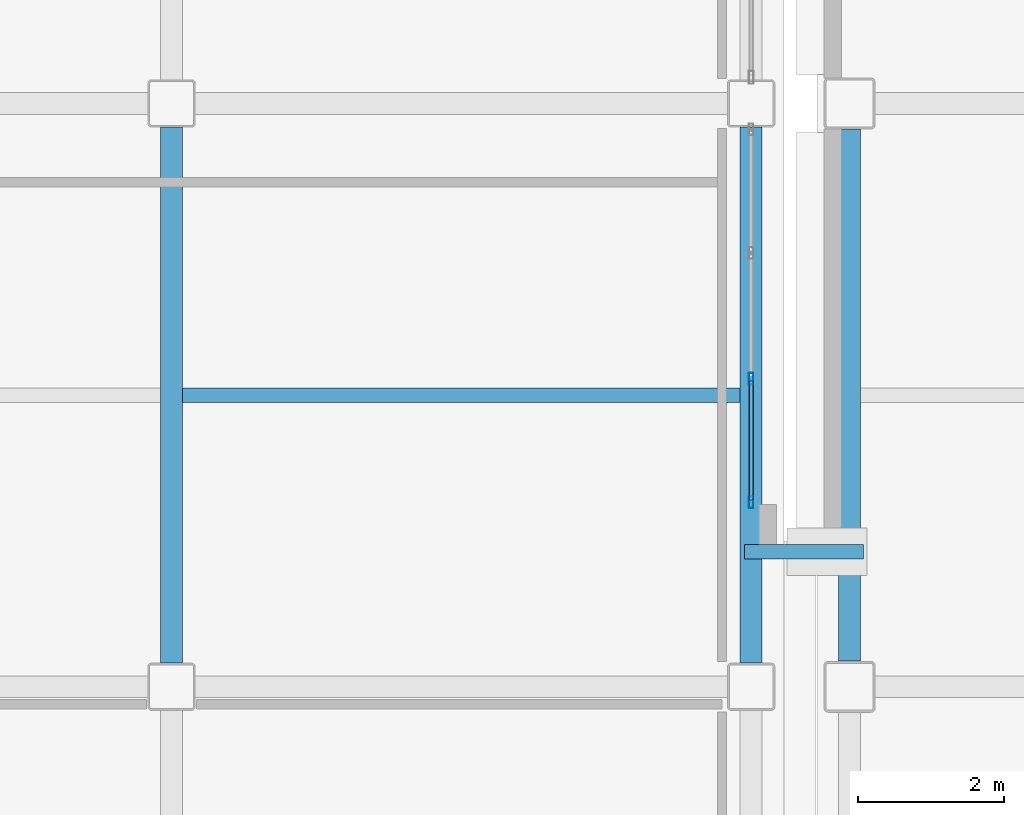
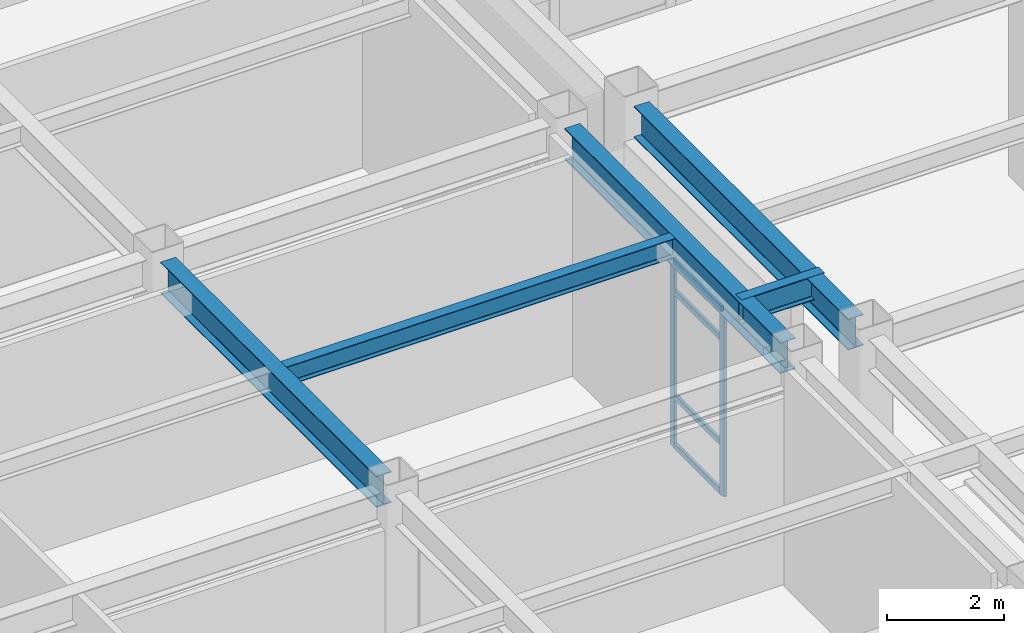
# One storey, part 47 of 172: 6 members, 5 beams, 1 element without a shape of its own.
"""IFC4 building model written with IfcOpenShell, lengths in metres."""

from ifc_helpers import new_model, si_unit, direction, frame, origin, origin_2d, place, context, subcontext, project, spatial, hollow_rectangle, i_section, extrude, material, layer, layer_set, material_profile, profile_set, type_object, element, aggregate, save


model = new_model("IFC4")

# Units and contexts
model_context = context("Model", 3, precision=1e-05, world=origin(), true_north=direction((0.0, 1.0)))
body_context = subcontext(model_context, "Body", "Model", "MODEL_VIEW")
ifc_project = project(units=[si_unit("LENGTHUNIT", "METRE"), si_unit("AREAUNIT", "SQUARE_METRE"), si_unit("VOLUMEUNIT", "CUBIC_METRE"), si_unit("PLANEANGLEUNIT", "RADIAN"), si_unit("MASSUNIT", "GRAM", prefix="KILO")], contexts=[model_context])

# Site, building, storey
site_placement = place(None, origin())
site = spatial("IfcSite", under=ifc_project, at=site_placement, CompositionType="ELEMENT")
building_placement = place(site_placement, origin())
building = spatial("IfcBuilding", under=site, at=building_placement, Name="Kazehara Bluff Congress Hotel", CompositionType="ELEMENT")
storey_placement = place(building_placement, frame((0.0, 0.0, 5.39990234375)))
storey = spatial("IfcBuildingStorey", under=building, at=storey_placement, Name="L01", CompositionType="ELEMENT", Elevation=5.39990234375)

# Curtain wall, members
ifc_material_1 = material(Name="Anodised aluminium", Category="aluminium")
ifc_layer = layer(ifc_material_1, 0.159912109375)
ifc_layer_set = layer_set([ifc_layer], Name="Anodised aluminium")
curtain_wall_type = type_object("IfcCurtainWallType", Name="TP-CW-53", PredefinedType="NOTDEFINED", material=ifc_layer_set)
curtain_wall_placement = place(storey_placement, origin())
curtain_wall = element("IfcCurtainWall", 1, at=curtain_wall_placement, inside=storey, type_object=curtain_wall_type, Name="L01 curtain wall CW-53 CW-V4-L01-X10920-2650", PredefinedType="NOTDEFINED")
ifc_material_2 = material(Name="Anodised aluminium", Category="aluminium")
ifc_material_profile_1 = material_profile(ifc_material_2, hollow_rectangle(XDim=0.06005859375, YDim=0.159912109375, WallThickness=0.00390625, InnerFilletRadius=0.00390625, OuterFilletRadius=0.008056640625, at=origin_2d()))
ifc_profile_set_1 = profile_set([ifc_material_profile_1], Name="Anodised aluminium")
member_type_1 = type_object("IfcMemberType", Name="TP-CWM-01", PredefinedType="MULLION", material=ifc_profile_set_1)
member_1_placement = place(storey_placement, frame((109.199951171875, 26.530029296875, 0.0), z_axis=(0.0, 0.0, 1.0), x_axis=(-1.0, 0.0, 0.0)))
member_1 = element("IfcMember", 2, at=member_1_placement, type_object=member_type_1, Name="CW-53 mullion 1", PredefinedType="MULLION", context=body_context, shape_type="SweptSolid", body=[
    extrude(hollow_rectangle(XDim=0.06005859375, YDim=0.159912109375, WallThickness=0.00390625, InnerFilletRadius=0.00390625, OuterFilletRadius=0.008056640625, at=origin_2d()), origin(), (0.0, 0.0, 1.0), 3.875),
])
member_2_placement = place(storey_placement, frame((109.199951171875, 28.22509765625, 0.0), z_axis=(0.0, 0.0, 1.0), x_axis=(-1.0, 0.0, 0.0)))
member_2 = element("IfcMember", 3, at=member_2_placement, type_object=member_type_1, Name="CW-53 mullion 2", PredefinedType="MULLION", context=body_context, shape_type="SweptSolid", body=[
    extrude(hollow_rectangle(XDim=0.06005859375, YDim=0.159912109375, WallThickness=0.00390625, InnerFilletRadius=0.00390625, OuterFilletRadius=0.008056640625, at=origin_2d()), origin(), (0.0, 0.0, 1.0), 3.875),
])
ifc_material_3 = material(Name="Anodised aluminium", Category="aluminium")
ifc_material_profile_2 = material_profile(ifc_material_3, hollow_rectangle(XDim=0.06005859375, YDim=0.1201171875, WallThickness=0.00390625, InnerFilletRadius=0.00390625, OuterFilletRadius=0.008056640625, at=origin_2d()))
ifc_profile_set_2 = profile_set([ifc_material_profile_2], Name="Anodised aluminium")
member_type_2 = type_object("IfcMemberType", Name="TP-CWT-01", PredefinedType="USERDEFINED", material=ifc_profile_set_2)
member_3_placement = place(storey_placement, frame((109.199951171875, 26.56005859375, 0.030029296875), z_axis=(0.0, 1.0, 0.0), x_axis=(-1.0, 0.0, 0.0)))
member_3 = element("IfcMember", 4, at=member_3_placement, type_object=member_type_2, Name="CW-53 transom 1.1", ObjectType="TRANSOM", PredefinedType="USERDEFINED", context=body_context, shape_type="SweptSolid", body=[
    extrude(hollow_rectangle(XDim=0.06005859375, YDim=0.1201171875, WallThickness=0.00390625, InnerFilletRadius=0.00390625, OuterFilletRadius=0.008056640625, at=origin_2d()), origin(), (0.0, 0.0, 1.0), 1.635009765625),
])
member_4_placement = place(storey_placement, frame((109.199951171875, 26.56005859375, 1.050048828125), z_axis=(0.0, 1.0, 0.0), x_axis=(-1.0, 0.0, 0.0)))
member_4 = element("IfcMember", 5, at=member_4_placement, type_object=member_type_2, Name="CW-53 transom 1.2", ObjectType="TRANSOM", PredefinedType="USERDEFINED", context=body_context, shape_type="SweptSolid", body=[
    extrude(hollow_rectangle(XDim=0.06005859375, YDim=0.1201171875, WallThickness=0.00390625, InnerFilletRadius=0.00390625, OuterFilletRadius=0.008056640625, at=origin_2d()), origin(), (0.0, 0.0, 1.0), 1.635009765625),
])
member_5_placement = place(storey_placement, frame((109.199951171875, 26.56005859375, 3.22509765625), z_axis=(0.0, 1.0, 0.0), x_axis=(-1.0, 0.0, 0.0)))
member_5 = element("IfcMember", 6, at=member_5_placement, type_object=member_type_2, Name="CW-53 transom 1.3", ObjectType="TRANSOM", PredefinedType="USERDEFINED", context=body_context, shape_type="SweptSolid", body=[
    extrude(hollow_rectangle(XDim=0.06005859375, YDim=0.1201171875, WallThickness=0.00390625, InnerFilletRadius=0.00390625, OuterFilletRadius=0.008056640625, at=origin_2d()), origin(), (0.0, 0.0, 1.0), 1.635009765625),
])
member_6_placement = place(storey_placement, frame((109.199951171875, 26.56005859375, 3.84521484375), z_axis=(0.0, 1.0, 0.0), x_axis=(-1.0, 0.0, 0.0)))
member_6 = element("IfcMember", 7, at=member_6_placement, type_object=member_type_2, Name="CW-53 transom 1.4", ObjectType="TRANSOM", PredefinedType="USERDEFINED", context=body_context, shape_type="SweptSolid", body=[
    extrude(hollow_rectangle(XDim=0.06005859375, YDim=0.1201171875, WallThickness=0.00390625, InnerFilletRadius=0.00390625, OuterFilletRadius=0.008056640625, at=origin_2d()), origin(), (0.0, 0.0, 1.0), 1.635009765625),
])
aggregate(curtain_wall, [member_1, member_2, member_3, member_4, member_5, member_6])

# Beams
ifc_material_4 = material(Name="Steel SN490B", Category="steel")
ifc_material_profile_3 = material_profile(ifc_material_4, i_section(OverallWidth=0.199951171875, OverallDepth=0.5, WebThickness=0.010009765625, FlangeThickness=0.01611328125, FilletRadius=0.012939453125, at=origin_2d()))
ifc_profile_set_3 = profile_set([ifc_material_profile_3], Name="Steel SN490B")
beam_type_1 = type_object("IfcBeamType", Name="TP-G-01", PredefinedType="BEAM", material=ifc_profile_set_3)
beam_1_placement = place(storey_placement, frame((109.110107421875, 25.85009765625, 4.300048828125), z_axis=(1.0, 0.0, 0.0), x_axis=(0.0, 1.0, 0.0)))
element("IfcBeam", 8, at=beam_1_placement, inside=storey, type_object=beam_type_1, Name="Bridge link beam BRG-45 L02-2", PredefinedType="BEAM", context=body_context, shape_type="SweptSolid", body=[
    extrude(i_section(OverallWidth=0.199951171875, OverallDepth=0.5, WebThickness=0.010009765625, FlangeThickness=0.01611328125, FilletRadius=0.012939453125, at=origin_2d()), origin(), (0.0, 0.0, 1.0), 1.6298828125),
])
ifc_material_5 = material(Name="Steel SN490B", Category="steel")
ifc_material_profile_4 = material_profile(ifc_material_5, i_section(OverallWidth=0.300048828125, OverallDepth=0.64990234375, WebThickness=0.011962890625, FlangeThickness=0.02001953125, FilletRadius=0.012939453125, at=origin_2d()))
ifc_profile_set_4 = profile_set([ifc_material_profile_4], Name="Steel SN490B")
beam_type_2 = type_object("IfcBeamType", Name="TP-G-03", PredefinedType="BEAM", material=ifc_profile_set_4)
for number, where, z_axis, x_axis, name in (
    (9, (101.25, 24.324951171875, 4.22509765625), (0.0, 1.0, 0.0), (-1.0, 0.0, 0.0), "L01 girder G-03 176"),
    (10, (109.199951171875, 24.324951171875, 4.22509765625), (0.0, 1.0, 0.0), (-1.0, 0.0, 0.0), "L01 girder G-03 181"),
):
    element("IfcBeam", number, at=place(storey_placement, frame(where, z_axis=z_axis, x_axis=x_axis)), inside=storey, type_object=beam_type_2, Name=name, PredefinedType="BEAM", context=body_context, shape_type="SweptSolid", body=[
        extrude(i_section(OverallWidth=0.300048828125, OverallDepth=0.64990234375, WebThickness=0.011962890625, FlangeThickness=0.02001953125, FilletRadius=0.012939453125, at=origin_2d()), origin(), (0.0, 0.0, 1.0), 7.35009765625),
    ])
beam_2_placement = place(storey_placement, frame((110.550048828125, 24.35009765625, 4.22509765625), z_axis=(0.0, 1.0, 0.0), x_axis=(-1.0, 0.0, 0.0)))
element("IfcBeam", 11, at=beam_2_placement, inside=storey, type_object=beam_type_2, Name="L01 girder G-03 222", PredefinedType="BEAM", context=body_context, shape_type="SweptSolid", body=[
    extrude(i_section(OverallWidth=0.300048828125, OverallDepth=0.64990234375, WebThickness=0.011962890625, FlangeThickness=0.02001953125, FilletRadius=0.012939453125, at=origin_2d()), origin(), (0.0, 0.0, 1.0), 7.2998046875),
])
ifc_material_6 = material(Name="Steel SN400B", Category="steel")
ifc_material_profile_5 = material_profile(ifc_material_6, i_section(OverallWidth=0.199951171875, OverallDepth=0.39990234375, WebThickness=0.008056640625, FlangeThickness=0.012939453125, FilletRadius=0.012939453125, at=origin_2d()))
ifc_profile_set_5 = profile_set([ifc_material_profile_5], Name="Steel SN400B")
beam_type_3 = type_object("IfcBeamType", Name="TP-J-03", PredefinedType="JOIST", material=ifc_profile_set_5)
beam_3_placement = place(storey_placement, frame((101.39990234375, 28.0, 4.35009765625), z_axis=(1.0, 0.0, 0.0), x_axis=(0.0, 1.0, 0.0)))
element("IfcBeam", 12, at=beam_3_placement, inside=storey, type_object=beam_type_3, Name="L01 secondary joist J-03 51", PredefinedType="JOIST", context=body_context, shape_type="SweptSolid", body=[
    extrude(i_section(OverallWidth=0.199951171875, OverallDepth=0.39990234375, WebThickness=0.008056640625, FlangeThickness=0.012939453125, FilletRadius=0.012939453125, at=origin_2d()), origin(), (0.0, 0.0, 1.0), 7.650146484375),
])

save(model, "model.ifc")
